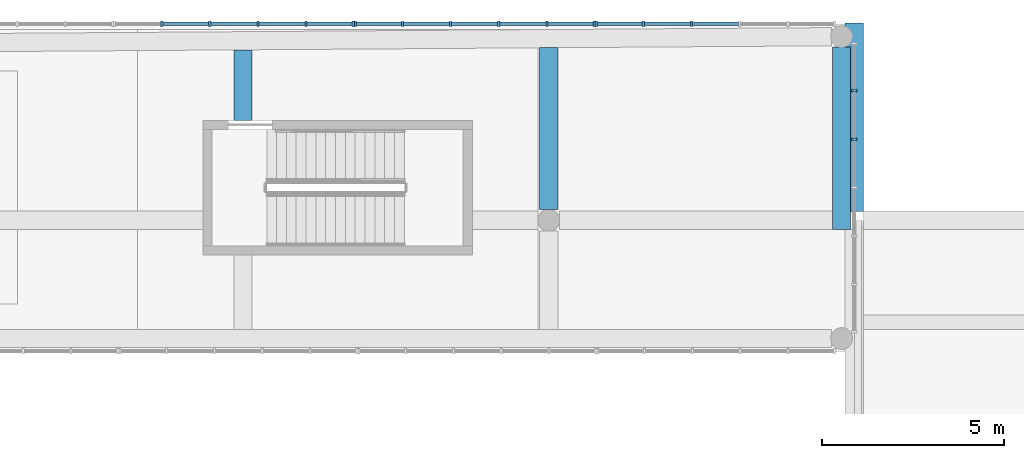
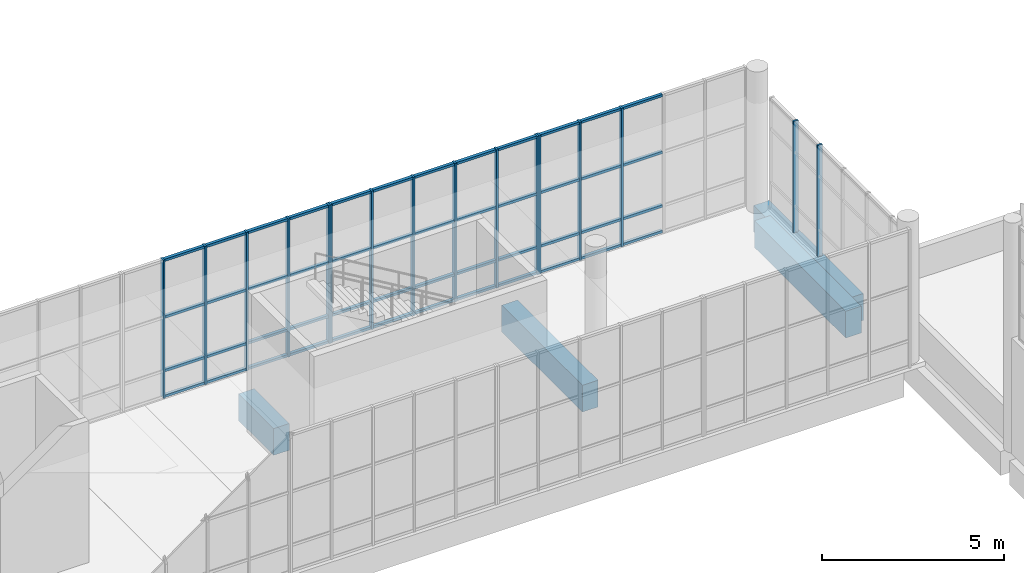
# One storey, part 39 of 119: 64 members, 4 beams, 4 elements without a shape of their own.
"""IFC4 building model written with IfcOpenShell, lengths in metres."""

from ifc_helpers import new_model, si_unit, direction, frame, origin, origin_2d, place, context, subcontext, project, spatial, rectangle, extrude, material, layer, layer_set, material_profile, profile_set, type_object, element, aggregate, save


model = new_model("IFC4")

# Units and contexts
model_context = context("Model", 3, precision=1e-05, world=origin(), true_north=direction((0.0, 1.0)))
body_context = subcontext(model_context, "Body", "Model", "MODEL_VIEW")
ifc_project = project(units=[si_unit("LENGTHUNIT", "METRE"), si_unit("AREAUNIT", "SQUARE_METRE"), si_unit("VOLUMEUNIT", "CUBIC_METRE"), si_unit("PLANEANGLEUNIT", "RADIAN"), si_unit("MASSUNIT", "GRAM", prefix="KILO")], contexts=[model_context])

# Site, building, storey
site_placement = place(None, origin())
site = spatial("IfcSite", under=ifc_project, at=site_placement, CompositionType="ELEMENT")
building_placement = place(site_placement, origin())
building = spatial("IfcBuilding", under=site, at=building_placement, Name="Larchfold Concert Hall", CompositionType="ELEMENT")
storey_placement = place(building_placement, frame((0.0, 0.0, 4.800048828125)))
storey = spatial("IfcBuildingStorey", under=building, at=storey_placement, Name="L01", CompositionType="ELEMENT", Elevation=4.800048828125)

# Curtain wall, members
ifc_material_1 = material(Name="Anodised graphite aluminium curtain wall", Category="aluminium")
ifc_layer = layer(ifc_material_1, 0.14990234375)
ifc_layer_set = layer_set([ifc_layer], Name="Anodised graphite aluminium curtain wall")
curtain_wall_type = type_object("IfcCurtainWallType", Name="Curtain wall WG", PredefinedType="NOTDEFINED", material=ifc_layer_set)
curtain_wall_1_placement = place(storey_placement, origin())
curtain_wall_1 = element("IfcCurtainWall", 1, at=curtain_wall_1_placement, inside=storey, type_object=curtain_wall_type, Name="Curtain wall CW0171", PredefinedType="NOTDEFINED")
ifc_material_2 = material(Name="Anodised graphite aluminium mullion", Category="aluminium")
ifc_material_profile_1 = material_profile(ifc_material_2, rectangle(XDim=0.14990234375, YDim=0.06005859375, at=origin_2d()))
ifc_profile_set_1 = profile_set([ifc_material_profile_1], Name="Anodised graphite aluminium mullion")
member_type_1 = type_object("IfcMemberType", Name="Aluminium mullion 60x150", PredefinedType="MULLION", material=ifc_profile_set_1)
member_1_placement = place(storey_placement, frame((76.199951171875, 128.83056640625, 0.0), z_axis=(0.0, 0.0, 1.0), x_axis=(-1.0, 0.0, 0.0)))
member_1 = element("IfcMember", 2, at=member_1_placement, type_object=member_type_1, Name="CW0171 mullion 5", PredefinedType="MULLION", context=body_context, shape_type="SweptSolid", body=[
    extrude(rectangle(XDim=0.14990234375, YDim=0.06005859375, at=origin_2d()), origin(), (0.0, 0.0, 1.0), 3.75),
])
member_2_placement = place(storey_placement, frame((76.199951171875, 130.161376953125, 0.0), z_axis=(0.0, 0.0, 1.0), x_axis=(-1.0, 0.0, 0.0)))
member_2 = element("IfcMember", 3, at=member_2_placement, type_object=member_type_1, Name="CW0171 mullion 6", PredefinedType="MULLION", context=body_context, shape_type="SweptSolid", body=[
    extrude(rectangle(XDim=0.14990234375, YDim=0.06005859375, at=origin_2d()), origin(), (0.0, 0.0, 1.0), 3.75),
])
aggregate(curtain_wall_1, [member_1, member_2])

curtain_wall_2_placement = place(storey_placement, origin())
curtain_wall_2 = element("IfcCurtainWall", 4, at=curtain_wall_2_placement, inside=storey, type_object=curtain_wall_type, Name="Curtain wall CW0172", PredefinedType="NOTDEFINED")
member_3_placement = place(storey_placement, frame((71.7216796875, 132.0, 0.0), z_axis=(0.0, 0.0, 1.0), x_axis=(0.0, -1.0, 0.0)))
member_3 = element("IfcMember", 5, at=member_3_placement, type_object=member_type_1, Name="CW0172 mullion 4", PredefinedType="MULLION", context=body_context, shape_type="SweptSolid", body=[
    extrude(rectangle(XDim=0.14990234375, YDim=0.06005859375, at=origin_2d()), origin(), (0.0, 0.0, 1.0), 4.64990234375),
])
member_4_placement = place(storey_placement, frame((70.39794921875, 132.0, 0.0), z_axis=(0.0, 0.0, 1.0), x_axis=(0.0, -1.0, 0.0)))
member_4 = element("IfcMember", 6, at=member_4_placement, type_object=member_type_1, Name="CW0172 mullion 5", PredefinedType="MULLION", context=body_context, shape_type="SweptSolid", body=[
    extrude(rectangle(XDim=0.14990234375, YDim=0.06005859375, at=origin_2d()), origin(), (0.0, 0.0, 1.0), 4.64990234375),
])
member_5_placement = place(storey_placement, frame((69.104248046875, 132.0, 0.0), z_axis=(0.0, 0.0, 1.0), x_axis=(0.0, -1.0, 0.0)))
member_5 = element("IfcMember", 7, at=member_5_placement, type_object=member_type_1, Name="CW0172 mullion 6", PredefinedType="MULLION", context=body_context, shape_type="SweptSolid", body=[
    extrude(rectangle(XDim=0.14990234375, YDim=0.06005859375, at=origin_2d()), origin(), (0.0, 0.0, 1.0), 4.64990234375),
])

curtain_wall_3_placement = place(storey_placement, origin())
curtain_wall_3 = element("IfcCurtainWall", 8, at=curtain_wall_3_placement, inside=storey, type_object=curtain_wall_type, Name="Curtain wall CW0173", PredefinedType="NOTDEFINED")
member_6_placement = place(storey_placement, frame((69.044189453125, 132.0, 0.0), z_axis=(0.0, 0.0, 1.0), x_axis=(0.0, -1.0, 0.0)))
member_6 = element("IfcMember", 9, at=member_6_placement, type_object=member_type_1, Name="CW0173 mullion 1", PredefinedType="MULLION", context=body_context, shape_type="SweptSolid", body=[
    extrude(rectangle(XDim=0.14990234375, YDim=0.06005859375, at=origin_2d()), origin(), (0.0, 0.0, 1.0), 4.64990234375),
])
member_7_placement = place(storey_placement, frame((67.75048828125, 132.0, 0.0), z_axis=(0.0, 0.0, 1.0), x_axis=(0.0, -1.0, 0.0)))
member_7 = element("IfcMember", 10, at=member_7_placement, type_object=member_type_1, Name="CW0173 mullion 2", PredefinedType="MULLION", context=body_context, shape_type="SweptSolid", body=[
    extrude(rectangle(XDim=0.14990234375, YDim=0.06005859375, at=origin_2d()), origin(), (0.0, 0.0, 1.0), 4.64990234375),
])
member_8_placement = place(storey_placement, frame((66.4267578125, 132.0, 0.0), z_axis=(0.0, 0.0, 1.0), x_axis=(0.0, -1.0, 0.0)))
member_8 = element("IfcMember", 11, at=member_8_placement, type_object=member_type_1, Name="CW0173 mullion 3", PredefinedType="MULLION", context=body_context, shape_type="SweptSolid", body=[
    extrude(rectangle(XDim=0.14990234375, YDim=0.06005859375, at=origin_2d()), origin(), (0.0, 0.0, 1.0), 4.64990234375),
])
member_9_placement = place(storey_placement, frame((65.10302734375, 132.0, 0.0), z_axis=(0.0, 0.0, 1.0), x_axis=(0.0, -1.0, 0.0)))
member_9 = element("IfcMember", 12, at=member_9_placement, type_object=member_type_1, Name="CW0173 mullion 4", PredefinedType="MULLION", context=body_context, shape_type="SweptSolid", body=[
    extrude(rectangle(XDim=0.14990234375, YDim=0.06005859375, at=origin_2d()), origin(), (0.0, 0.0, 1.0), 4.64990234375),
])
member_10_placement = place(storey_placement, frame((63.779296875, 132.0, 0.0), z_axis=(0.0, 0.0, 1.0), x_axis=(0.0, -1.0, 0.0)))
member_10 = element("IfcMember", 13, at=member_10_placement, type_object=member_type_1, Name="CW0173 mullion 5", PredefinedType="MULLION", context=body_context, shape_type="SweptSolid", body=[
    extrude(rectangle(XDim=0.14990234375, YDim=0.06005859375, at=origin_2d()), origin(), (0.0, 0.0, 1.0), 4.64990234375),
])
member_11_placement = place(storey_placement, frame((62.485595703125, 132.0, 0.0), z_axis=(0.0, 0.0, 1.0), x_axis=(0.0, -1.0, 0.0)))
member_11 = element("IfcMember", 14, at=member_11_placement, type_object=member_type_1, Name="CW0173 mullion 6", PredefinedType="MULLION", context=body_context, shape_type="SweptSolid", body=[
    extrude(rectangle(XDim=0.14990234375, YDim=0.06005859375, at=origin_2d()), origin(), (0.0, 0.0, 1.0), 4.64990234375),
])

curtain_wall_4_placement = place(storey_placement, origin())
curtain_wall_4 = element("IfcCurtainWall", 15, at=curtain_wall_4_placement, inside=storey, type_object=curtain_wall_type, Name="Curtain wall CW0174", PredefinedType="NOTDEFINED")
member_12_placement = place(storey_placement, frame((62.425537109375, 132.0, 0.0), z_axis=(0.0, 0.0, 1.0), x_axis=(0.0, -1.0, 0.0)))
member_12 = element("IfcMember", 16, at=member_12_placement, type_object=member_type_1, Name="CW0174 mullion 1", PredefinedType="MULLION", context=body_context, shape_type="SweptSolid", body=[
    extrude(rectangle(XDim=0.14990234375, YDim=0.06005859375, at=origin_2d()), origin(), (0.0, 0.0, 1.0), 4.64990234375),
])
member_13_placement = place(storey_placement, frame((61.1318359375, 132.0, 0.0), z_axis=(0.0, 0.0, 1.0), x_axis=(0.0, -1.0, 0.0)))
member_13 = element("IfcMember", 17, at=member_13_placement, type_object=member_type_1, Name="CW0174 mullion 2", PredefinedType="MULLION", context=body_context, shape_type="SweptSolid", body=[
    extrude(rectangle(XDim=0.14990234375, YDim=0.06005859375, at=origin_2d()), origin(), (0.0, 0.0, 1.0), 4.64990234375),
])
member_14_placement = place(storey_placement, frame((59.80810546875, 132.0, 0.0), z_axis=(0.0, 0.0, 1.0), x_axis=(0.0, -1.0, 0.0)))
member_14 = element("IfcMember", 18, at=member_14_placement, type_object=member_type_1, Name="CW0174 mullion 3", PredefinedType="MULLION", context=body_context, shape_type="SweptSolid", body=[
    extrude(rectangle(XDim=0.14990234375, YDim=0.06005859375, at=origin_2d()), origin(), (0.0, 0.0, 1.0), 4.64990234375),
])
member_15_placement = place(storey_placement, frame((58.484619140625, 132.0, 0.0), z_axis=(0.0, 0.0, 1.0), x_axis=(0.0, -1.0, 0.0)))
member_15 = element("IfcMember", 19, at=member_15_placement, type_object=member_type_1, Name="CW0174 mullion 4", PredefinedType="MULLION", context=body_context, shape_type="SweptSolid", body=[
    extrude(rectangle(XDim=0.14990234375, YDim=0.06005859375, at=origin_2d()), origin(), (0.0, 0.0, 1.0), 4.64990234375),
])
member_16_placement = place(storey_placement, frame((57.160888671875, 132.0, 0.0), z_axis=(0.0, 0.0, 1.0), x_axis=(0.0, -1.0, 0.0)))
member_16 = element("IfcMember", 20, at=member_16_placement, type_object=member_type_1, Name="CW0174 mullion 5", PredefinedType="MULLION", context=body_context, shape_type="SweptSolid", body=[
    extrude(rectangle(XDim=0.14990234375, YDim=0.06005859375, at=origin_2d()), origin(), (0.0, 0.0, 1.0), 4.64990234375),
])

# Member
ifc_material_3 = material(Name="Anodised graphite aluminium transom", Category="aluminium")
ifc_material_profile_2 = material_profile(ifc_material_3, rectangle(XDim=0.10009765625, YDim=0.080078125, at=origin_2d()))
ifc_profile_set_2 = profile_set([ifc_material_profile_2], Name="Anodised graphite aluminium transom")
member_type_2 = type_object("IfcMemberType", Name="Aluminium transom 80x100", PredefinedType="USERDEFINED", material=ifc_profile_set_2)
member_17_placement = place(storey_placement, frame((73.015380859375, 132.0, 0.0400390625), z_axis=(-1.0, 0.0, 0.0), x_axis=(0.0, -1.0, 0.0)))
member_17 = element("IfcMember", 21, at=member_17_placement, type_object=member_type_2, Name="CW0172 transom 3.1", ObjectType="TRANSOM", PredefinedType="USERDEFINED", context=body_context, shape_type="SweptSolid", body=[
    extrude(rectangle(XDim=0.10009765625, YDim=0.080078125, at=origin_2d()), origin(), (0.0, 0.0, 1.0), 1.263916015625),
])

member_18_placement = place(storey_placement, frame((73.015380859375, 132.0, 0.89990234375), z_axis=(-1.0, 0.0, 0.0), x_axis=(0.0, -1.0, 0.0)))
member_18 = element("IfcMember", 22, at=member_18_placement, type_object=member_type_2, Name="CW0172 transom 3.2", ObjectType="TRANSOM", PredefinedType="USERDEFINED", context=body_context, shape_type="SweptSolid", body=[
    extrude(rectangle(XDim=0.10009765625, YDim=0.080078125, at=origin_2d()), origin(), (0.0, 0.0, 1.0), 1.263916015625),
])

member_19_placement = place(storey_placement, frame((73.015380859375, 132.0, 2.699951171875), z_axis=(-1.0, 0.0, 0.0), x_axis=(0.0, -1.0, 0.0)))
member_19 = element("IfcMember", 23, at=member_19_placement, type_object=member_type_2, Name="CW0172 transom 3.3", ObjectType="TRANSOM", PredefinedType="USERDEFINED", context=body_context, shape_type="SweptSolid", body=[
    extrude(rectangle(XDim=0.10009765625, YDim=0.080078125, at=origin_2d()), origin(), (0.0, 0.0, 1.0), 1.263916015625),
])

member_20_placement = place(storey_placement, frame((73.015380859375, 132.0, 4.60986328125), z_axis=(-1.0, 0.0, 0.0), x_axis=(0.0, -1.0, 0.0)))
member_20 = element("IfcMember", 24, at=member_20_placement, type_object=member_type_2, Name="CW0172 transom 3.4", ObjectType="TRANSOM", PredefinedType="USERDEFINED", context=body_context, shape_type="SweptSolid", body=[
    extrude(rectangle(XDim=0.10009765625, YDim=0.080078125, at=origin_2d()), origin(), (0.0, 0.0, 1.0), 1.263916015625),
])

member_21_placement = place(storey_placement, frame((71.691650390625, 132.0, 0.0400390625), z_axis=(-1.0, 0.0, 0.0), x_axis=(0.0, -1.0, 0.0)))
member_21 = element("IfcMember", 25, at=member_21_placement, type_object=member_type_2, Name="CW0172 transom 4.1", ObjectType="TRANSOM", PredefinedType="USERDEFINED", context=body_context, shape_type="SweptSolid", body=[
    extrude(rectangle(XDim=0.10009765625, YDim=0.080078125, at=origin_2d()), origin(), (0.0, 0.0, 1.0), 1.263671875),
])

member_22_placement = place(storey_placement, frame((71.691650390625, 132.0, 0.89990234375), z_axis=(-1.0, 0.0, 0.0), x_axis=(0.0, -1.0, 0.0)))
member_22 = element("IfcMember", 26, at=member_22_placement, type_object=member_type_2, Name="CW0172 transom 4.2", ObjectType="TRANSOM", PredefinedType="USERDEFINED", context=body_context, shape_type="SweptSolid", body=[
    extrude(rectangle(XDim=0.10009765625, YDim=0.080078125, at=origin_2d()), origin(), (0.0, 0.0, 1.0), 1.263671875),
])

member_23_placement = place(storey_placement, frame((71.691650390625, 132.0, 2.699951171875), z_axis=(-1.0, 0.0, 0.0), x_axis=(0.0, -1.0, 0.0)))
member_23 = element("IfcMember", 27, at=member_23_placement, type_object=member_type_2, Name="CW0172 transom 4.3", ObjectType="TRANSOM", PredefinedType="USERDEFINED", context=body_context, shape_type="SweptSolid", body=[
    extrude(rectangle(XDim=0.10009765625, YDim=0.080078125, at=origin_2d()), origin(), (0.0, 0.0, 1.0), 1.263671875),
])

member_24_placement = place(storey_placement, frame((71.691650390625, 132.0, 4.60986328125), z_axis=(-1.0, 0.0, 0.0), x_axis=(0.0, -1.0, 0.0)))
member_24 = element("IfcMember", 28, at=member_24_placement, type_object=member_type_2, Name="CW0172 transom 4.4", ObjectType="TRANSOM", PredefinedType="USERDEFINED", context=body_context, shape_type="SweptSolid", body=[
    extrude(rectangle(XDim=0.10009765625, YDim=0.080078125, at=origin_2d()), origin(), (0.0, 0.0, 1.0), 1.263671875),
])

member_25_placement = place(storey_placement, frame((70.367919921875, 132.0, 0.0400390625), z_axis=(-1.0, 0.0, 0.0), x_axis=(0.0, -1.0, 0.0)))
member_25 = element("IfcMember", 29, at=member_25_placement, type_object=member_type_2, Name="CW0172 transom 5.1", ObjectType="TRANSOM", PredefinedType="USERDEFINED", context=body_context, shape_type="SweptSolid", body=[
    extrude(rectangle(XDim=0.10009765625, YDim=0.080078125, at=origin_2d()), origin(), (0.0, 0.0, 1.0), 1.233642578125),
])

member_26_placement = place(storey_placement, frame((70.367919921875, 132.0, 0.89990234375), z_axis=(-1.0, 0.0, 0.0), x_axis=(0.0, -1.0, 0.0)))
member_26 = element("IfcMember", 30, at=member_26_placement, type_object=member_type_2, Name="CW0172 transom 5.2", ObjectType="TRANSOM", PredefinedType="USERDEFINED", context=body_context, shape_type="SweptSolid", body=[
    extrude(rectangle(XDim=0.10009765625, YDim=0.080078125, at=origin_2d()), origin(), (0.0, 0.0, 1.0), 1.233642578125),
])

member_27_placement = place(storey_placement, frame((70.367919921875, 132.0, 2.699951171875), z_axis=(-1.0, 0.0, 0.0), x_axis=(0.0, -1.0, 0.0)))
member_27 = element("IfcMember", 31, at=member_27_placement, type_object=member_type_2, Name="CW0172 transom 5.3", ObjectType="TRANSOM", PredefinedType="USERDEFINED", context=body_context, shape_type="SweptSolid", body=[
    extrude(rectangle(XDim=0.10009765625, YDim=0.080078125, at=origin_2d()), origin(), (0.0, 0.0, 1.0), 1.233642578125),
])

member_28_placement = place(storey_placement, frame((70.367919921875, 132.0, 4.60986328125), z_axis=(-1.0, 0.0, 0.0), x_axis=(0.0, -1.0, 0.0)))
member_28 = element("IfcMember", 32, at=member_28_placement, type_object=member_type_2, Name="CW0172 transom 5.4", ObjectType="TRANSOM", PredefinedType="USERDEFINED", context=body_context, shape_type="SweptSolid", body=[
    extrude(rectangle(XDim=0.10009765625, YDim=0.080078125, at=origin_2d()), origin(), (0.0, 0.0, 1.0), 1.233642578125),
])

aggregate(curtain_wall_2, [member_3, member_4, member_5, member_17, member_18, member_19, member_20, member_21, member_22, member_23, member_24, member_25, member_26, member_27, member_28])

member_29_placement = place(storey_placement, frame((69.01416015625, 132.0, 0.0400390625), z_axis=(-1.0, 0.0, 0.0), x_axis=(0.0, -1.0, 0.0)))
member_29 = element("IfcMember", 33, at=member_29_placement, type_object=member_type_2, Name="CW0173 transom 1.1", ObjectType="TRANSOM", PredefinedType="USERDEFINED", context=body_context, shape_type="SweptSolid", body=[
    extrude(rectangle(XDim=0.10009765625, YDim=0.080078125, at=origin_2d()), origin(), (0.0, 0.0, 1.0), 1.233642578125),
])

member_30_placement = place(storey_placement, frame((69.01416015625, 132.0, 0.89990234375), z_axis=(-1.0, 0.0, 0.0), x_axis=(0.0, -1.0, 0.0)))
member_30 = element("IfcMember", 34, at=member_30_placement, type_object=member_type_2, Name="CW0173 transom 1.2", ObjectType="TRANSOM", PredefinedType="USERDEFINED", context=body_context, shape_type="SweptSolid", body=[
    extrude(rectangle(XDim=0.10009765625, YDim=0.080078125, at=origin_2d()), origin(), (0.0, 0.0, 1.0), 1.233642578125),
])

member_31_placement = place(storey_placement, frame((69.01416015625, 132.0, 2.699951171875), z_axis=(-1.0, 0.0, 0.0), x_axis=(0.0, -1.0, 0.0)))
member_31 = element("IfcMember", 35, at=member_31_placement, type_object=member_type_2, Name="CW0173 transom 1.3", ObjectType="TRANSOM", PredefinedType="USERDEFINED", context=body_context, shape_type="SweptSolid", body=[
    extrude(rectangle(XDim=0.10009765625, YDim=0.080078125, at=origin_2d()), origin(), (0.0, 0.0, 1.0), 1.233642578125),
])

member_32_placement = place(storey_placement, frame((69.01416015625, 132.0, 4.60986328125), z_axis=(-1.0, 0.0, 0.0), x_axis=(0.0, -1.0, 0.0)))
member_32 = element("IfcMember", 36, at=member_32_placement, type_object=member_type_2, Name="CW0173 transom 1.4", ObjectType="TRANSOM", PredefinedType="USERDEFINED", context=body_context, shape_type="SweptSolid", body=[
    extrude(rectangle(XDim=0.10009765625, YDim=0.080078125, at=origin_2d()), origin(), (0.0, 0.0, 1.0), 1.233642578125),
])

member_33_placement = place(storey_placement, frame((67.720458984375, 132.0, 0.0400390625), z_axis=(-1.0, 0.0, 0.0), x_axis=(0.0, -1.0, 0.0)))
member_33 = element("IfcMember", 37, at=member_33_placement, type_object=member_type_2, Name="CW0173 transom 2.1", ObjectType="TRANSOM", PredefinedType="USERDEFINED", context=body_context, shape_type="SweptSolid", body=[
    extrude(rectangle(XDim=0.10009765625, YDim=0.080078125, at=origin_2d()), origin(), (0.0, 0.0, 1.0), 1.263671875),
])

member_34_placement = place(storey_placement, frame((67.720458984375, 132.0, 0.89990234375), z_axis=(-1.0, 0.0, 0.0), x_axis=(0.0, -1.0, 0.0)))
member_34 = element("IfcMember", 38, at=member_34_placement, type_object=member_type_2, Name="CW0173 transom 2.2", ObjectType="TRANSOM", PredefinedType="USERDEFINED", context=body_context, shape_type="SweptSolid", body=[
    extrude(rectangle(XDim=0.10009765625, YDim=0.080078125, at=origin_2d()), origin(), (0.0, 0.0, 1.0), 1.263671875),
])

member_35_placement = place(storey_placement, frame((67.720458984375, 132.0, 2.699951171875), z_axis=(-1.0, 0.0, 0.0), x_axis=(0.0, -1.0, 0.0)))
member_35 = element("IfcMember", 39, at=member_35_placement, type_object=member_type_2, Name="CW0173 transom 2.3", ObjectType="TRANSOM", PredefinedType="USERDEFINED", context=body_context, shape_type="SweptSolid", body=[
    extrude(rectangle(XDim=0.10009765625, YDim=0.080078125, at=origin_2d()), origin(), (0.0, 0.0, 1.0), 1.263671875),
])

member_36_placement = place(storey_placement, frame((67.720458984375, 132.0, 4.60986328125), z_axis=(-1.0, 0.0, 0.0), x_axis=(0.0, -1.0, 0.0)))
member_36 = element("IfcMember", 40, at=member_36_placement, type_object=member_type_2, Name="CW0173 transom 2.4", ObjectType="TRANSOM", PredefinedType="USERDEFINED", context=body_context, shape_type="SweptSolid", body=[
    extrude(rectangle(XDim=0.10009765625, YDim=0.080078125, at=origin_2d()), origin(), (0.0, 0.0, 1.0), 1.263671875),
])

member_37_placement = place(storey_placement, frame((66.396728515625, 132.0, 0.0400390625), z_axis=(-1.0, 0.0, 0.0), x_axis=(0.0, -1.0, 0.0)))
member_37 = element("IfcMember", 41, at=member_37_placement, type_object=member_type_2, Name="CW0173 transom 3.1", ObjectType="TRANSOM", PredefinedType="USERDEFINED", context=body_context, shape_type="SweptSolid", body=[
    extrude(rectangle(XDim=0.10009765625, YDim=0.080078125, at=origin_2d()), origin(), (0.0, 0.0, 1.0), 1.263671875),
])

member_38_placement = place(storey_placement, frame((66.396728515625, 132.0, 0.89990234375), z_axis=(-1.0, 0.0, 0.0), x_axis=(0.0, -1.0, 0.0)))
member_38 = element("IfcMember", 42, at=member_38_placement, type_object=member_type_2, Name="CW0173 transom 3.2", ObjectType="TRANSOM", PredefinedType="USERDEFINED", context=body_context, shape_type="SweptSolid", body=[
    extrude(rectangle(XDim=0.10009765625, YDim=0.080078125, at=origin_2d()), origin(), (0.0, 0.0, 1.0), 1.263671875),
])

member_39_placement = place(storey_placement, frame((66.396728515625, 132.0, 2.699951171875), z_axis=(-1.0, 0.0, 0.0), x_axis=(0.0, -1.0, 0.0)))
member_39 = element("IfcMember", 43, at=member_39_placement, type_object=member_type_2, Name="CW0173 transom 3.3", ObjectType="TRANSOM", PredefinedType="USERDEFINED", context=body_context, shape_type="SweptSolid", body=[
    extrude(rectangle(XDim=0.10009765625, YDim=0.080078125, at=origin_2d()), origin(), (0.0, 0.0, 1.0), 1.263671875),
])

member_40_placement = place(storey_placement, frame((66.396728515625, 132.0, 4.60986328125), z_axis=(-1.0, 0.0, 0.0), x_axis=(0.0, -1.0, 0.0)))
member_40 = element("IfcMember", 44, at=member_40_placement, type_object=member_type_2, Name="CW0173 transom 3.4", ObjectType="TRANSOM", PredefinedType="USERDEFINED", context=body_context, shape_type="SweptSolid", body=[
    extrude(rectangle(XDim=0.10009765625, YDim=0.080078125, at=origin_2d()), origin(), (0.0, 0.0, 1.0), 1.263671875),
])

member_41_placement = place(storey_placement, frame((65.072998046875, 132.0, 0.0400390625), z_axis=(-1.0, 0.0, 0.0), x_axis=(0.0, -1.0, 0.0)))
member_41 = element("IfcMember", 45, at=member_41_placement, type_object=member_type_2, Name="CW0173 transom 4.1", ObjectType="TRANSOM", PredefinedType="USERDEFINED", context=body_context, shape_type="SweptSolid", body=[
    extrude(rectangle(XDim=0.10009765625, YDim=0.080078125, at=origin_2d()), origin(), (0.0, 0.0, 1.0), 1.263671875),
])

member_42_placement = place(storey_placement, frame((65.072998046875, 132.0, 0.89990234375), z_axis=(-1.0, 0.0, 0.0), x_axis=(0.0, -1.0, 0.0)))
member_42 = element("IfcMember", 46, at=member_42_placement, type_object=member_type_2, Name="CW0173 transom 4.2", ObjectType="TRANSOM", PredefinedType="USERDEFINED", context=body_context, shape_type="SweptSolid", body=[
    extrude(rectangle(XDim=0.10009765625, YDim=0.080078125, at=origin_2d()), origin(), (0.0, 0.0, 1.0), 1.263671875),
])

member_43_placement = place(storey_placement, frame((65.072998046875, 132.0, 2.699951171875), z_axis=(-1.0, 0.0, 0.0), x_axis=(0.0, -1.0, 0.0)))
member_43 = element("IfcMember", 47, at=member_43_placement, type_object=member_type_2, Name="CW0173 transom 4.3", ObjectType="TRANSOM", PredefinedType="USERDEFINED", context=body_context, shape_type="SweptSolid", body=[
    extrude(rectangle(XDim=0.10009765625, YDim=0.080078125, at=origin_2d()), origin(), (0.0, 0.0, 1.0), 1.263671875),
])

member_44_placement = place(storey_placement, frame((65.072998046875, 132.0, 4.60986328125), z_axis=(-1.0, 0.0, 0.0), x_axis=(0.0, -1.0, 0.0)))
member_44 = element("IfcMember", 48, at=member_44_placement, type_object=member_type_2, Name="CW0173 transom 4.4", ObjectType="TRANSOM", PredefinedType="USERDEFINED", context=body_context, shape_type="SweptSolid", body=[
    extrude(rectangle(XDim=0.10009765625, YDim=0.080078125, at=origin_2d()), origin(), (0.0, 0.0, 1.0), 1.263671875),
])

member_45_placement = place(storey_placement, frame((63.749267578125, 132.0, 0.0400390625), z_axis=(-1.0, 0.0, 0.0), x_axis=(0.0, -1.0, 0.0)))
member_45 = element("IfcMember", 49, at=member_45_placement, type_object=member_type_2, Name="CW0173 transom 5.1", ObjectType="TRANSOM", PredefinedType="USERDEFINED", context=body_context, shape_type="SweptSolid", body=[
    extrude(rectangle(XDim=0.10009765625, YDim=0.080078125, at=origin_2d()), origin(), (0.0, 0.0, 1.0), 1.233642578125),
])

member_46_placement = place(storey_placement, frame((63.749267578125, 132.0, 0.89990234375), z_axis=(-1.0, 0.0, 0.0), x_axis=(0.0, -1.0, 0.0)))
member_46 = element("IfcMember", 50, at=member_46_placement, type_object=member_type_2, Name="CW0173 transom 5.2", ObjectType="TRANSOM", PredefinedType="USERDEFINED", context=body_context, shape_type="SweptSolid", body=[
    extrude(rectangle(XDim=0.10009765625, YDim=0.080078125, at=origin_2d()), origin(), (0.0, 0.0, 1.0), 1.233642578125),
])

member_47_placement = place(storey_placement, frame((63.749267578125, 132.0, 2.699951171875), z_axis=(-1.0, 0.0, 0.0), x_axis=(0.0, -1.0, 0.0)))
member_47 = element("IfcMember", 51, at=member_47_placement, type_object=member_type_2, Name="CW0173 transom 5.3", ObjectType="TRANSOM", PredefinedType="USERDEFINED", context=body_context, shape_type="SweptSolid", body=[
    extrude(rectangle(XDim=0.10009765625, YDim=0.080078125, at=origin_2d()), origin(), (0.0, 0.0, 1.0), 1.233642578125),
])

member_48_placement = place(storey_placement, frame((63.749267578125, 132.0, 4.60986328125), z_axis=(-1.0, 0.0, 0.0), x_axis=(0.0, -1.0, 0.0)))
member_48 = element("IfcMember", 52, at=member_48_placement, type_object=member_type_2, Name="CW0173 transom 5.4", ObjectType="TRANSOM", PredefinedType="USERDEFINED", context=body_context, shape_type="SweptSolid", body=[
    extrude(rectangle(XDim=0.10009765625, YDim=0.080078125, at=origin_2d()), origin(), (0.0, 0.0, 1.0), 1.233642578125),
])

aggregate(curtain_wall_3, [member_6, member_7, member_8, member_9, member_10, member_11, member_29, member_30, member_31, member_32, member_33, member_34, member_35, member_36, member_37, member_38, member_39, member_40, member_41, member_42, member_43, member_44, member_45, member_46, member_47, member_48])

member_49_placement = place(storey_placement, frame((62.3955078125, 132.0, 0.0400390625), z_axis=(-1.0, 0.0, 0.0), x_axis=(0.0, -1.0, 0.0)))
member_49 = element("IfcMember", 53, at=member_49_placement, type_object=member_type_2, Name="CW0174 transom 1.1", ObjectType="TRANSOM", PredefinedType="USERDEFINED", context=body_context, shape_type="SweptSolid", body=[
    extrude(rectangle(XDim=0.10009765625, YDim=0.080078125, at=origin_2d()), origin(), (0.0, 0.0, 1.0), 1.233642578125),
])

member_50_placement = place(storey_placement, frame((62.3955078125, 132.0, 0.89990234375), z_axis=(-1.0, 0.0, 0.0), x_axis=(0.0, -1.0, 0.0)))
member_50 = element("IfcMember", 54, at=member_50_placement, type_object=member_type_2, Name="CW0174 transom 1.2", ObjectType="TRANSOM", PredefinedType="USERDEFINED", context=body_context, shape_type="SweptSolid", body=[
    extrude(rectangle(XDim=0.10009765625, YDim=0.080078125, at=origin_2d()), origin(), (0.0, 0.0, 1.0), 1.233642578125),
])

member_51_placement = place(storey_placement, frame((62.3955078125, 132.0, 2.699951171875), z_axis=(-1.0, 0.0, 0.0), x_axis=(0.0, -1.0, 0.0)))
member_51 = element("IfcMember", 55, at=member_51_placement, type_object=member_type_2, Name="CW0174 transom 1.3", ObjectType="TRANSOM", PredefinedType="USERDEFINED", context=body_context, shape_type="SweptSolid", body=[
    extrude(rectangle(XDim=0.10009765625, YDim=0.080078125, at=origin_2d()), origin(), (0.0, 0.0, 1.0), 1.233642578125),
])

member_52_placement = place(storey_placement, frame((62.3955078125, 132.0, 4.60986328125), z_axis=(-1.0, 0.0, 0.0), x_axis=(0.0, -1.0, 0.0)))
member_52 = element("IfcMember", 56, at=member_52_placement, type_object=member_type_2, Name="CW0174 transom 1.4", ObjectType="TRANSOM", PredefinedType="USERDEFINED", context=body_context, shape_type="SweptSolid", body=[
    extrude(rectangle(XDim=0.10009765625, YDim=0.080078125, at=origin_2d()), origin(), (0.0, 0.0, 1.0), 1.233642578125),
])

member_53_placement = place(storey_placement, frame((61.101806640625, 132.0, 0.0400390625), z_axis=(-1.0, 0.0, 0.0), x_axis=(0.0, -1.0, 0.0)))
member_53 = element("IfcMember", 57, at=member_53_placement, type_object=member_type_2, Name="CW0174 transom 2.1", ObjectType="TRANSOM", PredefinedType="USERDEFINED", context=body_context, shape_type="SweptSolid", body=[
    extrude(rectangle(XDim=0.10009765625, YDim=0.080078125, at=origin_2d()), origin(), (0.0, 0.0, 1.0), 1.263671875),
])

member_54_placement = place(storey_placement, frame((61.101806640625, 132.0, 0.89990234375), z_axis=(-1.0, 0.0, 0.0), x_axis=(0.0, -1.0, 0.0)))
member_54 = element("IfcMember", 58, at=member_54_placement, type_object=member_type_2, Name="CW0174 transom 2.2", ObjectType="TRANSOM", PredefinedType="USERDEFINED", context=body_context, shape_type="SweptSolid", body=[
    extrude(rectangle(XDim=0.10009765625, YDim=0.080078125, at=origin_2d()), origin(), (0.0, 0.0, 1.0), 1.263671875),
])

member_55_placement = place(storey_placement, frame((61.101806640625, 132.0, 2.699951171875), z_axis=(-1.0, 0.0, 0.0), x_axis=(0.0, -1.0, 0.0)))
member_55 = element("IfcMember", 59, at=member_55_placement, type_object=member_type_2, Name="CW0174 transom 2.3", ObjectType="TRANSOM", PredefinedType="USERDEFINED", context=body_context, shape_type="SweptSolid", body=[
    extrude(rectangle(XDim=0.10009765625, YDim=0.080078125, at=origin_2d()), origin(), (0.0, 0.0, 1.0), 1.263671875),
])

member_56_placement = place(storey_placement, frame((61.101806640625, 132.0, 4.60986328125), z_axis=(-1.0, 0.0, 0.0), x_axis=(0.0, -1.0, 0.0)))
member_56 = element("IfcMember", 60, at=member_56_placement, type_object=member_type_2, Name="CW0174 transom 2.4", ObjectType="TRANSOM", PredefinedType="USERDEFINED", context=body_context, shape_type="SweptSolid", body=[
    extrude(rectangle(XDim=0.10009765625, YDim=0.080078125, at=origin_2d()), origin(), (0.0, 0.0, 1.0), 1.263671875),
])

member_57_placement = place(storey_placement, frame((59.7783203125, 132.0, 0.0400390625), z_axis=(-1.0, 0.0, 0.0), x_axis=(0.0, -1.0, 0.0)))
member_57 = element("IfcMember", 61, at=member_57_placement, type_object=member_type_2, Name="CW0174 transom 3.1", ObjectType="TRANSOM", PredefinedType="USERDEFINED", context=body_context, shape_type="SweptSolid", body=[
    extrude(rectangle(XDim=0.10009765625, YDim=0.080078125, at=origin_2d()), origin(), (0.0, 0.0, 1.0), 1.263916015625),
])

member_58_placement = place(storey_placement, frame((59.7783203125, 132.0, 0.89990234375), z_axis=(-1.0, 0.0, 0.0), x_axis=(0.0, -1.0, 0.0)))
member_58 = element("IfcMember", 62, at=member_58_placement, type_object=member_type_2, Name="CW0174 transom 3.2", ObjectType="TRANSOM", PredefinedType="USERDEFINED", context=body_context, shape_type="SweptSolid", body=[
    extrude(rectangle(XDim=0.10009765625, YDim=0.080078125, at=origin_2d()), origin(), (0.0, 0.0, 1.0), 1.263916015625),
])

member_59_placement = place(storey_placement, frame((59.7783203125, 132.0, 2.699951171875), z_axis=(-1.0, 0.0, 0.0), x_axis=(0.0, -1.0, 0.0)))
member_59 = element("IfcMember", 63, at=member_59_placement, type_object=member_type_2, Name="CW0174 transom 3.3", ObjectType="TRANSOM", PredefinedType="USERDEFINED", context=body_context, shape_type="SweptSolid", body=[
    extrude(rectangle(XDim=0.10009765625, YDim=0.080078125, at=origin_2d()), origin(), (0.0, 0.0, 1.0), 1.263916015625),
])

member_60_placement = place(storey_placement, frame((59.7783203125, 132.0, 4.60986328125), z_axis=(-1.0, 0.0, 0.0), x_axis=(0.0, -1.0, 0.0)))
member_60 = element("IfcMember", 64, at=member_60_placement, type_object=member_type_2, Name="CW0174 transom 3.4", ObjectType="TRANSOM", PredefinedType="USERDEFINED", context=body_context, shape_type="SweptSolid", body=[
    extrude(rectangle(XDim=0.10009765625, YDim=0.080078125, at=origin_2d()), origin(), (0.0, 0.0, 1.0), 1.263916015625),
])

member_61_placement = place(storey_placement, frame((58.45458984375, 132.0, 0.0400390625), z_axis=(-1.0, 0.0, 0.0), x_axis=(0.0, -1.0, 0.0)))
member_61 = element("IfcMember", 65, at=member_61_placement, type_object=member_type_2, Name="CW0174 transom 4.1", ObjectType="TRANSOM", PredefinedType="USERDEFINED", context=body_context, shape_type="SweptSolid", body=[
    extrude(rectangle(XDim=0.10009765625, YDim=0.080078125, at=origin_2d()), origin(), (0.0, 0.0, 1.0), 1.263671875),
])

member_62_placement = place(storey_placement, frame((58.45458984375, 132.0, 0.89990234375), z_axis=(-1.0, 0.0, 0.0), x_axis=(0.0, -1.0, 0.0)))
member_62 = element("IfcMember", 66, at=member_62_placement, type_object=member_type_2, Name="CW0174 transom 4.2", ObjectType="TRANSOM", PredefinedType="USERDEFINED", context=body_context, shape_type="SweptSolid", body=[
    extrude(rectangle(XDim=0.10009765625, YDim=0.080078125, at=origin_2d()), origin(), (0.0, 0.0, 1.0), 1.263671875),
])

member_63_placement = place(storey_placement, frame((58.45458984375, 132.0, 2.699951171875), z_axis=(-1.0, 0.0, 0.0), x_axis=(0.0, -1.0, 0.0)))
member_63 = element("IfcMember", 67, at=member_63_placement, type_object=member_type_2, Name="CW0174 transom 4.3", ObjectType="TRANSOM", PredefinedType="USERDEFINED", context=body_context, shape_type="SweptSolid", body=[
    extrude(rectangle(XDim=0.10009765625, YDim=0.080078125, at=origin_2d()), origin(), (0.0, 0.0, 1.0), 1.263671875),
])

member_64_placement = place(storey_placement, frame((58.45458984375, 132.0, 4.60986328125), z_axis=(-1.0, 0.0, 0.0), x_axis=(0.0, -1.0, 0.0)))
member_64 = element("IfcMember", 68, at=member_64_placement, type_object=member_type_2, Name="CW0174 transom 4.4", ObjectType="TRANSOM", PredefinedType="USERDEFINED", context=body_context, shape_type="SweptSolid", body=[
    extrude(rectangle(XDim=0.10009765625, YDim=0.080078125, at=origin_2d()), origin(), (0.0, 0.0, 1.0), 1.263671875),
])

aggregate(curtain_wall_4, [member_12, member_13, member_14, member_15, member_16, member_49, member_50, member_51, member_52, member_53, member_54, member_55, member_56, member_57, member_58, member_59, member_60, member_61, member_62, member_63, member_64])

# Beams
ifc_material_4 = material(Name="Concrete C35/45", Category="concrete")
ifc_material_profile_3 = material_profile(ifc_material_4, rectangle(XDim=0.5, YDim=0.89990234375, at=origin_2d()))
ifc_profile_set_3 = profile_set([ifc_material_profile_3], Name="Concrete C35/45")
beam_type = type_object("IfcBeamType", Name="Beam RC 500x900", PredefinedType="BEAM", material=ifc_profile_set_3)
beam_1_placement = place(storey_placement, frame((75.85009765625, 131.3701171875, -0.60009765625), z_axis=(0.0, -1.0, 0.0), x_axis=(1.0, 0.0, 0.0)))
element("IfcBeam", 69, at=beam_1_placement, inside=storey, type_object=beam_type, Name="Beam B1880", PredefinedType="BEAM", context=body_context, shape_type="SweptSolid", body=[
    extrude(rectangle(XDim=0.5, YDim=0.89990234375, at=origin_2d()), origin(), (0.0, 0.0, 1.0), 5.01904296875),
])
beam_2_placement = place(storey_placement, frame((59.39990234375, 129.35009765625, -0.60009765625), z_axis=(0.0, 1.0, 0.0), x_axis=(-1.0, 0.0, 0.0)))
element("IfcBeam", 70, at=beam_2_placement, inside=storey, type_object=beam_type, Name="Beam B1908", PredefinedType="BEAM", context=body_context, shape_type="SweptSolid", body=[
    extrude(rectangle(XDim=0.5, YDim=0.89990234375, at=origin_2d()), origin(), (0.0, 0.0, 1.0), 1.93603515625),
])
beam_3_placement = place(storey_placement, frame((67.800048828125, 126.898681640625, -0.60009765625), z_axis=(0.0, 1.0, 0.0), x_axis=(-1.0, 0.0, 0.0)))
element("IfcBeam", 71, at=beam_3_placement, inside=storey, type_object=beam_type, Name="Beam B1910", PredefinedType="BEAM", context=body_context, shape_type="SweptSolid", body=[
    extrude(rectangle(XDim=0.5, YDim=0.89990234375, at=origin_2d()), origin(), (0.0, 0.0, 1.0), 4.445556640625),
])
beam_4_placement = place(storey_placement, frame((76.199951171875, 126.848876953125, -0.60009765625), z_axis=(0.0, 1.0, 0.0), x_axis=(-1.0, 0.0, 0.0)))
element("IfcBeam", 72, at=beam_4_placement, inside=storey, type_object=beam_type, Name="Beam B1912", PredefinedType="BEAM", context=body_context, shape_type="SweptSolid", body=[
    extrude(rectangle(XDim=0.5, YDim=0.89990234375, at=origin_2d()), origin(), (0.0, 0.0, 1.0), 5.171142578125),
])

save(model, "model.ifc")
